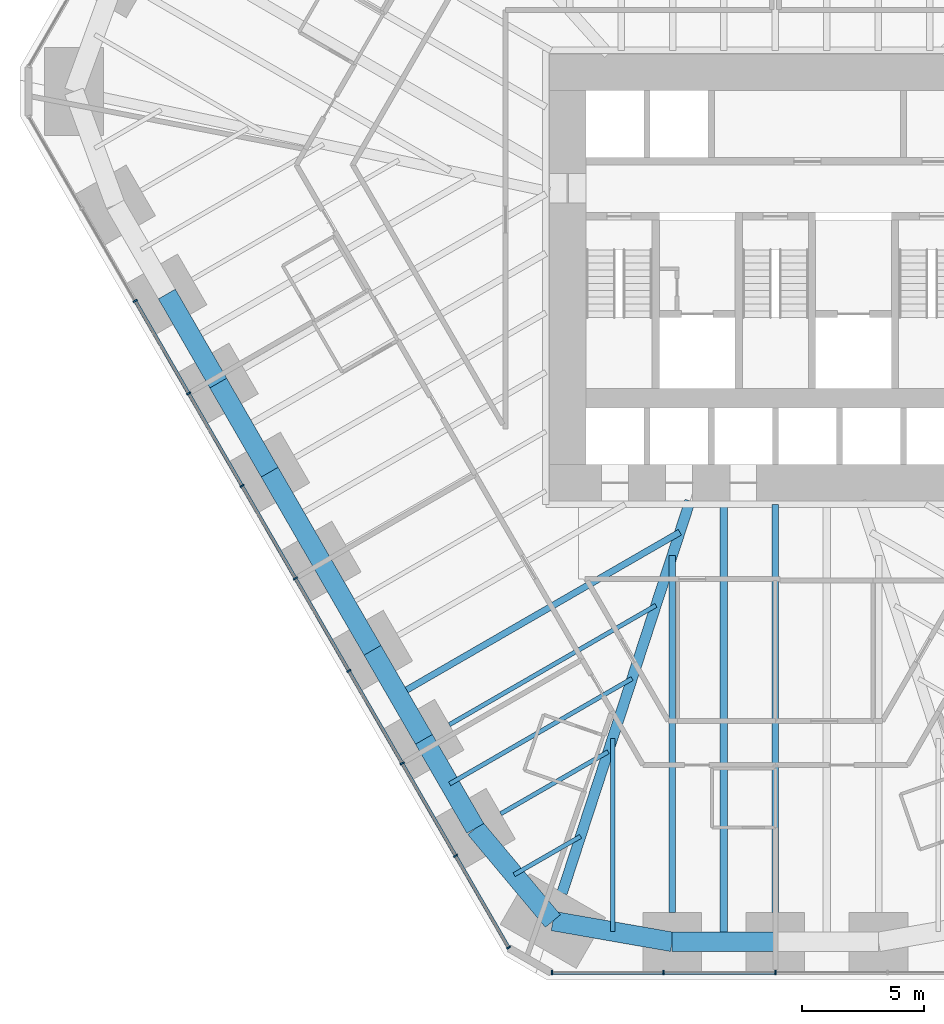
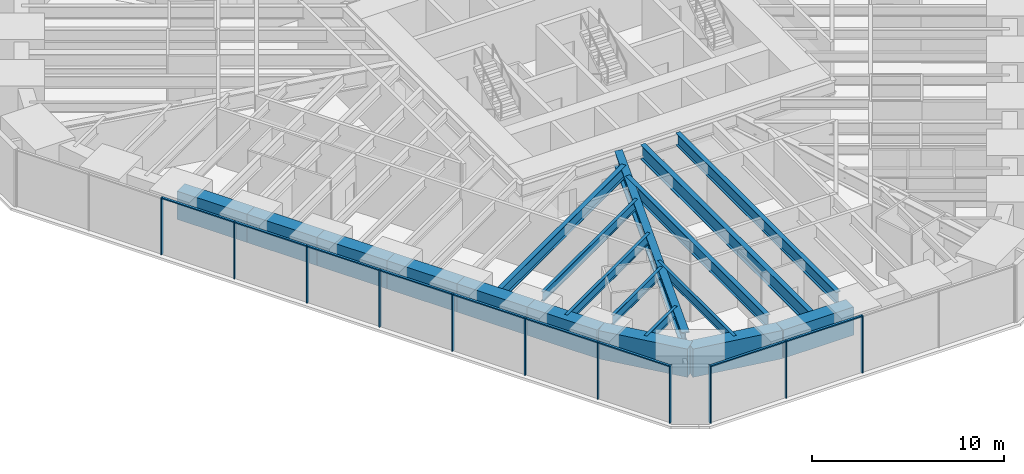
# One storey, part 2 of 17: 20 members, 19 beams, 2 elements without a shape of their own.
"""IFC4 building model written with IfcOpenShell, lengths in metres."""

import ifcopenshell
import ifcopenshell.guid

model = None  # the IFC model being written
_history = None  # IfcOwnerHistory: only IFC2X3 demands one
_inside = {}  # id of a spatial element -> (the spatial element, [elements in it])
_under = {}  # id of a project, library or spatial element -> (it, [spatial elements below it])
_declared = {}  # id of a project -> (the project, [libraries it declares])
_typed = {}  # id of a type object -> (the type object, [elements of that type])
_made_of = {}  # id of a material, layer set ... -> (it, [elements and type objects made of it])


def new_model(schema):
    """Start an empty IFC model of exactly this schema.

    Asked for "IFC4X3", IfcOpenShell would pick the latest addendum, in which some entities
    have other attributes; the version numbers below select the first issue.
    IFC2X3 requires an IfcOwnerHistory on every rooted entity: one is made here for all.
    """
    global model, _history
    if schema == "IFC4X3":
        model = ifcopenshell.file(schema_version=(4, 3, 0, 0))
    else:
        model = ifcopenshell.file(schema=schema)
    _inside.clear()
    _under.clear()
    _declared.clear()
    _typed.clear()
    _made_of.clear()
    _history = None
    if model.schema == "IFC2X3":
        org = make("IfcOrganization", Name="unknown")
        user = make(
            "IfcPersonAndOrganization",
            ThePerson=make("IfcPerson", FamilyName="unknown"),
            TheOrganization=org,
        )
        app = make(
            "IfcApplication",
            ApplicationDeveloper=org,
            Version="unknown",
            ApplicationFullName="unknown",
            ApplicationIdentifier="unknown",
        )
        _history = make(
            "IfcOwnerHistory",
            OwningUser=user,
            OwningApplication=app,
            ChangeAction="ADDED",
            CreationDate=0,
        )
    return model


def make(cls, **values):
    """One entity of the class cls with the attributes given. An attribute that is None is left unset."""
    return model.create_entity(
        cls, **{name: value for name, value in values.items() if value is not None}
    )


def rooted(cls, **values):
    """An entity with a GlobalId (a new one), such as an element, a storey or a relation."""
    return make(cls, GlobalId=ifcopenshell.guid.new(), OwnerHistory=_history, **values)


def si_unit(unit_type, name, prefix=None):
    """IfcSIUnit, for example si_unit("LENGTHUNIT", "METRE", prefix="MILLI")."""
    return make("IfcSIUnit", UnitType=unit_type, Prefix=prefix, Name=name)


def assignment(units):
    """IfcUnitAssignment: the units of a project."""
    return None if units is None else make("IfcUnitAssignment", Units=units)


def point(xyz):
    """IfcCartesianPoint."""
    return None if xyz is None else make("IfcCartesianPoint", Coordinates=xyz)


def direction(xyz):
    """IfcDirection."""
    return None if xyz is None else make("IfcDirection", DirectionRatios=xyz)


def frame(location, z_axis=None, x_axis=None):
    """IfcAxis2Placement3D, a coordinate frame: its origin and axes. An axis left out is left unset."""
    return make(
        "IfcAxis2Placement3D",
        Location=point(location),
        Axis=direction(z_axis),
        RefDirection=direction(x_axis),
    )


def frame_2d(location, x_axis=None):
    """IfcAxis2Placement2D, a coordinate frame in the plane: its origin and x axis."""
    return make(
        "IfcAxis2Placement2D", Location=point(location), RefDirection=direction(x_axis)
    )


def origin():
    """The frame at (0, 0, 0) with its axes left unset."""
    return frame((0.0, 0.0, 0.0))


def origin_2d():
    """The frame at (0, 0) in the plane with its x axis left unset."""
    return frame_2d((0.0, 0.0))


def place(relative_to, where):
    """IfcLocalPlacement: puts the frame where relative to a parent placement (None: the world)."""
    return make(
        "IfcLocalPlacement", PlacementRelTo=relative_to, RelativePlacement=where
    )


def context(
    kind, dimensions, precision=None, world=None, true_north=None, identifier=None
):
    """IfcGeometricRepresentationContext, for example the 3D "Model" context."""
    return make(
        "IfcGeometricRepresentationContext",
        ContextIdentifier=identifier,
        ContextType=kind,
        CoordinateSpaceDimension=dimensions,
        Precision=precision,
        WorldCoordinateSystem=world,
        TrueNorth=true_north,
    )


def subcontext(parent, identifier, kind, view, scale=None):
    """IfcGeometricRepresentationSubContext, for example "Body" below "Model"."""
    return make(
        "IfcGeometricRepresentationSubContext",
        ContextIdentifier=identifier,
        ContextType=kind,
        ParentContext=parent,
        TargetScale=scale,
        TargetView=view,
    )


def project(units=None, contexts=None):
    """IfcProject with its units and contexts."""
    return rooted(
        "IfcProject",
        Name="project",
        RepresentationContexts=contexts,
        UnitsInContext=assignment(units),
    )


def spatial(cls, under=None, at=None, **own):
    """A site, building, storey or space (cls), placed at a placement, below another one or the project."""
    s = rooted(cls, ObjectPlacement=at, **own)
    if under is not None:
        _under.setdefault(under.id(), (under, []))[1].append(s)
    return s


def profile(cls, at=None, kind="AREA", **sizes):
    """A parametric profile (cls). Its sizes go by their IFC names, for example OverallWidth=200.0."""
    return make(cls, ProfileType=kind, Position=at, **sizes)


def rectangle(**sizes):
    """IfcRectangleProfileDef."""
    return profile("IfcRectangleProfileDef", **sizes)


def i_section(**sizes):
    """IfcIShapeProfileDef."""
    return profile("IfcIShapeProfileDef", **sizes)


def extrude(swept, where, along, depth):
    """IfcExtrudedAreaSolid: the profile swept, set in the frame where, extruded along a direction by depth."""
    return make(
        "IfcExtrudedAreaSolid",
        SweptArea=swept,
        Position=where,
        ExtrudedDirection=direction(along),
        Depth=depth,
    )


def shape(context_of_items, identifier, shape_type, items):
    """IfcShapeRepresentation: the items that make up one representation, for example the "Body"."""
    return make(
        "IfcShapeRepresentation",
        ContextOfItems=context_of_items,
        RepresentationIdentifier=identifier,
        RepresentationType=shape_type,
        Items=items,
    )


def material(Name=None, Category=None):
    """IfcMaterial."""
    return make("IfcMaterial", Name=Name, Category=Category)


def material_profile(
    of_material, cross_section, Name=None, Category=None, Priority=None
):
    """IfcMaterialProfile: a cross section and its material."""
    return make(
        "IfcMaterialProfile",
        Name=Name,
        Material=of_material,
        Profile=cross_section,
        Priority=Priority,
        Category=Category,
    )


def profile_set(profiles, Name=None, composite=None):
    """IfcMaterialProfileSet."""
    return make(
        "IfcMaterialProfileSet",
        Name=Name,
        MaterialProfiles=profiles,
        CompositeProfile=composite,
    )


def made_of(thing, what):
    """Note that an element or type object is made of a material, layer set ...; save() writes the relation."""
    if what is not None:
        _made_of.setdefault(what.id(), (what, []))[1].append(thing)
    return thing


def type_object(cls, material=None, **own):
    """A type object (cls), such as IfcWallType, which elements share."""
    return made_of(rooted(cls, **own), material)


def element(
    cls,
    number,
    at=None,
    inside=None,
    cuts=None,
    type_object=None,
    material=None,
    context=None,
    identifier="Body",
    shape_type=None,
    held_by="IfcProductDefinitionShape",
    body=None,
    shapes=None,
    **own,
):
    """One element of the class cls, such as IfcWall. Its Tag is "e" and its number.

    at: its placement. inside: the storey or other place that contains it. cuts: it is an
    opening in that element (IfcRelVoidsElement). A single representation is given by context,
    identifier, shape_type and body (its items); several are given by shapes. held_by: the class
    of the entity that holds the representations. save() writes the other relations.
    """
    e = rooted(cls, Tag="e%d" % number, ObjectPlacement=at, **own)
    if body is not None:
        shapes = [shape(context, identifier, shape_type, body)]
    if shapes is not None:
        e.Representation = make(held_by, Representations=shapes)
    if inside is not None:
        _inside.setdefault(inside.id(), (inside, []))[1].append(e)
    if cuts is not None:
        rooted(
            "IfcRelVoidsElement", RelatingBuildingElement=cuts, RelatedOpeningElement=e
        )
    if type_object is not None:
        _typed.setdefault(type_object.id(), (type_object, []))[1].append(e)
    return made_of(e, material)


def aggregate(whole, parts):
    """IfcRelAggregates: a whole, such as a stair, and the parts it consists of."""
    return rooted("IfcRelAggregates", RelatingObject=whole, RelatedObjects=parts)


def save(model, path):
    """Write the relations noted so far, then the file.

    IfcRelAggregates (storeys below a building ...), IfcRelContainedInSpatialStructure (elements
    in a storey), IfcRelDefinesByType, IfcRelAssociatesMaterial and IfcRelDeclares: one each for
    every whole, place, type object, material and project.
    """
    for whole, parts in _under.values():
        aggregate(whole, parts)
    for where, things in _inside.values():
        rooted(
            "IfcRelContainedInSpatialStructure",
            RelatedElements=things,
            RelatingStructure=where,
        )
    for kind, things in _typed.values():
        rooted("IfcRelDefinesByType", RelatedObjects=things, RelatingType=kind)
    for what, things in _made_of.values():
        rooted("IfcRelAssociatesMaterial", RelatedObjects=things, RelatingMaterial=what)
    for by, libraries in _declared.values():
        rooted("IfcRelDeclares", RelatingContext=by, RelatedDefinitions=libraries)
    model.write(path)


model = new_model("IFC4")

# Units and contexts
model_context = context("Model", 3, precision=1e-05, world=origin(), true_north=direction((0.0, 1.0)))
body_context = subcontext(model_context, "Body", "Model", "MODEL_VIEW")
ifc_project = project(units=[si_unit("LENGTHUNIT", "METRE"), si_unit("AREAUNIT", "SQUARE_METRE"), si_unit("VOLUMEUNIT", "CUBIC_METRE"), si_unit("PLANEANGLEUNIT", "RADIAN"), si_unit("MASSUNIT", "GRAM", prefix="KILO")], contexts=[model_context])

# Site, building, storey
site_placement = place(None, origin())
site = spatial("IfcSite", under=ifc_project, at=site_placement, CompositionType="ELEMENT")
building_placement = place(site_placement, origin())
building = spatial("IfcBuilding", under=site, at=building_placement, Name="Sandreach Pilgrim Tower", CompositionType="ELEMENT")
storey_placement = place(building_placement, frame((0.0, 0.0, 34.39990234375)))
storey = spatial("IfcBuildingStorey", under=building, at=storey_placement, Name="L07", CompositionType="ELEMENT", Elevation=34.39990234375)

# Curtain wall, members
ifc_material_1 = material(Name="Aluminium framed curtain wall", Category="aluminium")
curtain_wall_type = type_object("IfcCurtainWallType", Name="Hostel tower curtain wall", PredefinedType="NOTDEFINED", material=ifc_material_1)
curtain_wall_1_placement = place(storey_placement, origin())
curtain_wall_1 = element("IfcCurtainWall", 1, at=curtain_wall_1_placement, inside=storey, type_object=curtain_wall_type, Name="CW-1 L07 S", PredefinedType="NOTDEFINED")
ifc_material_2 = material(Name="Aluminium extrusion", Category="aluminium")
ifc_material_profile_1 = material_profile(ifc_material_2, rectangle(XDim=0.06494140625, YDim=0.179931640625, at=origin_2d()), Name="CW-1M 65X180")
ifc_profile_set_1 = profile_set([ifc_material_profile_1], Name="Aluminium extrusion")
member_type_1 = type_object("IfcMemberType", Name="CW-1 mullion", PredefinedType="MULLION", material=ifc_profile_set_1)
member_1_placement = place(storey_placement, frame((0.0, -30.010986328125, 0.0), z_axis=(0.0, 0.0, 1.0), x_axis=(-1.0, 0.0, 0.0)))
member_1 = element("IfcMember", 2, at=member_1_placement, type_object=member_type_1, Name="CW-1 mullion 3", PredefinedType="MULLION", context=body_context, shape_type="SweptSolid", body=[
    extrude(rectangle(XDim=0.06494140625, YDim=0.179931640625, at=origin_2d()), origin(), (0.0, 0.0, 1.0), 3.64013671875),
])
member_2_placement = place(storey_placement, frame((-4.5859375, -30.010986328125, 0.0), z_axis=(0.0, 0.0, 1.0), x_axis=(-1.0, 0.0, 0.0)))
member_2 = element("IfcMember", 3, at=member_2_placement, type_object=member_type_1, Name="CW-1 mullion 4", PredefinedType="MULLION", context=body_context, shape_type="SweptSolid", body=[
    extrude(rectangle(XDim=0.06494140625, YDim=0.179931640625, at=origin_2d()), origin(), (0.0, 0.0, 1.0), 3.64013671875),
])
member_3_placement = place(storey_placement, frame((-9.1396484375, -30.010986328125, 0.0), z_axis=(0.0, 0.0, 1.0), x_axis=(-1.0, 0.0, 0.0)))
member_3 = element("IfcMember", 4, at=member_3_placement, type_object=member_type_1, Name="CW-1 mullion 5", PredefinedType="MULLION", context=body_context, shape_type="SweptSolid", body=[
    extrude(rectangle(XDim=0.06494140625, YDim=0.179931640625, at=origin_2d()), origin(), (0.0, 0.0, 1.0), 3.64013671875),
])

curtain_wall_2_placement = place(storey_placement, origin())
curtain_wall_2 = element("IfcCurtainWall", 5, at=curtain_wall_2_placement, inside=storey, type_object=curtain_wall_type, Name="CW-1 L07 SW", PredefinedType="NOTDEFINED")
member_4_placement = place(storey_placement, frame((-10.92041015625, -28.982666015625, 0.0), z_axis=(0.0, 0.0, 1.0), x_axis=(-0.5, 0.866025403784, 0.0)))
member_4 = element("IfcMember", 6, at=member_4_placement, type_object=member_type_1, Name="CW-1 mullion 1", PredefinedType="MULLION", context=body_context, shape_type="SweptSolid", body=[
    extrude(rectangle(XDim=0.06494140625, YDim=0.179931640625, at=origin_2d()), origin(), (0.0, 0.0, 1.0), 3.64013671875),
])
member_5_placement = place(storey_placement, frame((-13.08984375, -25.22509765625, 0.0), z_axis=(0.0, 0.0, 1.0), x_axis=(-0.5, 0.866025403784, 0.0)))
member_5 = element("IfcMember", 7, at=member_5_placement, type_object=member_type_1, Name="CW-1 mullion 2", PredefinedType="MULLION", context=body_context, shape_type="SweptSolid", body=[
    extrude(rectangle(XDim=0.06494140625, YDim=0.179931640625, at=origin_2d()), origin(), (0.0, 0.0, 1.0), 3.64013671875),
])
member_6_placement = place(storey_placement, frame((-15.275634765625, -21.439208984375, 0.0), z_axis=(0.0, 0.0, 1.0), x_axis=(-0.5, 0.866025403784, 0.0)))
member_6 = element("IfcMember", 8, at=member_6_placement, type_object=member_type_1, Name="CW-1 mullion 3", PredefinedType="MULLION", context=body_context, shape_type="SweptSolid", body=[
    extrude(rectangle(XDim=0.06494140625, YDim=0.179931640625, at=origin_2d()), origin(), (0.0, 0.0, 1.0), 3.64013671875),
])
member_7_placement = place(storey_placement, frame((-17.46142578125, -17.6533203125, 0.0), z_axis=(0.0, 0.0, 1.0), x_axis=(-0.5, 0.866025403784, 0.0)))
member_7 = element("IfcMember", 9, at=member_7_placement, type_object=member_type_1, Name="CW-1 mullion 4", PredefinedType="MULLION", context=body_context, shape_type="SweptSolid", body=[
    extrude(rectangle(XDim=0.06494140625, YDim=0.179931640625, at=origin_2d()), origin(), (0.0, 0.0, 1.0), 3.64013671875),
])
member_8_placement = place(storey_placement, frame((-19.647216796875, -13.8671875, 0.0), z_axis=(0.0, 0.0, 1.0), x_axis=(-0.5, 0.866025403784, 0.0)))
member_8 = element("IfcMember", 10, at=member_8_placement, type_object=member_type_1, Name="CW-1 mullion 5", PredefinedType="MULLION", context=body_context, shape_type="SweptSolid", body=[
    extrude(rectangle(XDim=0.06494140625, YDim=0.179931640625, at=origin_2d()), origin(), (0.0, 0.0, 1.0), 3.64013671875),
])
member_9_placement = place(storey_placement, frame((-21.8330078125, -10.081298828125, 0.0), z_axis=(0.0, 0.0, 1.0), x_axis=(-0.5, 0.866025403784, 0.0)))
member_9 = element("IfcMember", 11, at=member_9_placement, type_object=member_type_1, Name="CW-1 mullion 6", PredefinedType="MULLION", context=body_context, shape_type="SweptSolid", body=[
    extrude(rectangle(XDim=0.06494140625, YDim=0.179931640625, at=origin_2d()), origin(), (0.0, 0.0, 1.0), 3.64013671875),
])
member_10_placement = place(storey_placement, frame((-24.018798828125, -6.29541015625, 0.0), z_axis=(0.0, 0.0, 1.0), x_axis=(-0.5, 0.866025403784, 0.0)))
member_10 = element("IfcMember", 12, at=member_10_placement, type_object=member_type_1, Name="CW-1 mullion 7", PredefinedType="MULLION", context=body_context, shape_type="SweptSolid", body=[
    extrude(rectangle(XDim=0.06494140625, YDim=0.179931640625, at=origin_2d()), origin(), (0.0, 0.0, 1.0), 3.64013671875),
])
member_11_placement = place(storey_placement, frame((-26.20458984375, -2.509521484375, 0.0), z_axis=(0.0, 0.0, 1.0), x_axis=(-0.5, 0.866025403784, 0.0)))
member_11 = element("IfcMember", 13, at=member_11_placement, type_object=member_type_1, Name="CW-1 mullion 8", PredefinedType="MULLION", context=body_context, shape_type="SweptSolid", body=[
    extrude(rectangle(XDim=0.06494140625, YDim=0.179931640625, at=origin_2d()), origin(), (0.0, 0.0, 1.0), 3.64013671875),
])

# Member
ifc_material_3 = material(Name="Aluminium extrusion", Category="aluminium")
ifc_material_profile_2 = material_profile(ifc_material_3, rectangle(XDim=0.139892578125, YDim=0.070068359375, at=origin_2d()), Name="CW-1T 140X70")
ifc_profile_set_2 = profile_set([ifc_material_profile_2], Name="Aluminium extrusion")
member_type_2 = type_object("IfcMemberType", Name="CW-1 transom", PredefinedType="USERDEFINED", material=ifc_profile_set_2)
member_12_placement = place(storey_placement, frame((-0.032470703125, -30.010986328125, 3.60498046875), z_axis=(-1.0, 0.0, 0.0), x_axis=(0.0, -1.0, 0.0)))
member_12 = element("IfcMember", 14, at=member_12_placement, type_object=member_type_2, Name="CW-1 head transom 3", ObjectType="TRANSOM", PredefinedType="USERDEFINED", context=body_context, shape_type="SweptSolid", body=[
    extrude(rectangle(XDim=0.139892578125, YDim=0.070068359375, at=origin_2d()), origin(), (0.0, 0.0, 1.0), 4.52099609375),
])

member_13_placement = place(storey_placement, frame((-4.61865234375, -30.010986328125, 3.60498046875), z_axis=(-1.0, 0.0, 0.0), x_axis=(0.0, -1.0, 0.0)))
member_13 = element("IfcMember", 15, at=member_13_placement, type_object=member_type_2, Name="CW-1 head transom 4", ObjectType="TRANSOM", PredefinedType="USERDEFINED", context=body_context, shape_type="SweptSolid", body=[
    extrude(rectangle(XDim=0.139892578125, YDim=0.070068359375, at=origin_2d()), origin(), (0.0, 0.0, 1.0), 4.488525390625),
])

aggregate(curtain_wall_1, [member_1, member_2, member_3, member_12, member_13])

member_14_placement = place(storey_placement, frame((-10.9365234375, -28.95458984375, 3.60498046875), z_axis=(-0.500033953635, 0.866005799756, 0.0), x_axis=(-0.866005799756, -0.500033953635, 0.0)))
member_14 = element("IfcMember", 16, at=member_14_placement, type_object=member_type_2, Name="CW-1 head transom 1", ObjectType="TRANSOM", PredefinedType="USERDEFINED", context=body_context, shape_type="SweptSolid", body=[
    extrude(rectangle(XDim=0.139892578125, YDim=0.070068359375, at=origin_2d()), origin(), (0.0, 0.0, 1.0), 4.274169921875),
])

member_15_placement = place(storey_placement, frame((-13.106201171875, -25.19677734375, 3.60498046875), z_axis=(-0.500016891966, 0.866015650984, 0.0), x_axis=(-0.866015650984, -0.500016891966, 0.0)))
member_15 = element("IfcMember", 17, at=member_15_placement, type_object=member_type_2, Name="CW-1 head transom 2", ObjectType="TRANSOM", PredefinedType="USERDEFINED", context=body_context, shape_type="SweptSolid", body=[
    extrude(rectangle(XDim=0.139892578125, YDim=0.070068359375, at=origin_2d()), origin(), (0.0, 0.0, 1.0), 4.306396484375),
])

member_16_placement = place(storey_placement, frame((-15.2919921875, -21.410888671875, 3.60498046875), z_axis=(-0.500016891966, 0.866015650984, 0.0), x_axis=(-0.866015650984, -0.500016891966, 0.0)))
member_16 = element("IfcMember", 18, at=member_16_placement, type_object=member_type_2, Name="CW-1 head transom 3", ObjectType="TRANSOM", PredefinedType="USERDEFINED", context=body_context, shape_type="SweptSolid", body=[
    extrude(rectangle(XDim=0.139892578125, YDim=0.070068359375, at=origin_2d()), origin(), (0.0, 0.0, 1.0), 4.306396484375),
])

member_17_placement = place(storey_placement, frame((-17.477783203125, -17.625, 3.60498046875), z_axis=(-0.500016891966, 0.866015650984, 0.0), x_axis=(-0.866015650984, -0.500016891966, 0.0)))
member_17 = element("IfcMember", 19, at=member_17_placement, type_object=member_type_2, Name="CW-1 head transom 4", ObjectType="TRANSOM", PredefinedType="USERDEFINED", context=body_context, shape_type="SweptSolid", body=[
    extrude(rectangle(XDim=0.139892578125, YDim=0.070068359375, at=origin_2d()), origin(), (0.0, 0.0, 1.0), 4.306396484375),
])

member_18_placement = place(storey_placement, frame((-19.66357421875, -13.839111328125, 3.60498046875), z_axis=(-0.500016891966, 0.866015650984, 0.0), x_axis=(-0.866015650984, -0.500016891966, 0.0)))
member_18 = element("IfcMember", 20, at=member_18_placement, type_object=member_type_2, Name="CW-1 head transom 5", ObjectType="TRANSOM", PredefinedType="USERDEFINED", context=body_context, shape_type="SweptSolid", body=[
    extrude(rectangle(XDim=0.139892578125, YDim=0.070068359375, at=origin_2d()), origin(), (0.0, 0.0, 1.0), 4.306396484375),
])

member_19_placement = place(storey_placement, frame((-21.849365234375, -10.05322265625, 3.60498046875), z_axis=(-0.500016891966, 0.866015650984, 0.0), x_axis=(-0.866015650984, -0.500016891966, 0.0)))
member_19 = element("IfcMember", 21, at=member_19_placement, type_object=member_type_2, Name="CW-1 head transom 6", ObjectType="TRANSOM", PredefinedType="USERDEFINED", context=body_context, shape_type="SweptSolid", body=[
    extrude(rectangle(XDim=0.139892578125, YDim=0.070068359375, at=origin_2d()), origin(), (0.0, 0.0, 1.0), 4.306396484375),
])

member_20_placement = place(storey_placement, frame((-24.03515625, -6.267333984375, 3.60498046875), z_axis=(-0.500016891966, 0.866015650984, 0.0), x_axis=(-0.866015650984, -0.500016891966, 0.0)))
member_20 = element("IfcMember", 22, at=member_20_placement, type_object=member_type_2, Name="CW-1 head transom 7", ObjectType="TRANSOM", PredefinedType="USERDEFINED", context=body_context, shape_type="SweptSolid", body=[
    extrude(rectangle(XDim=0.139892578125, YDim=0.070068359375, at=origin_2d()), origin(), (0.0, 0.0, 1.0), 4.306396484375),
])

aggregate(curtain_wall_2, [member_4, member_5, member_6, member_7, member_8, member_9, member_10, member_11, member_14, member_15, member_16, member_17, member_18, member_19, member_20])

# Beams
ifc_material_4 = material(Name="Steel ASTM A992 Grade 50", Category="steel")
ifc_material_profile_3 = material_profile(ifc_material_4, i_section(OverallWidth=0.431884765625, OverallDepth=0.988037109375, WebThickness=0.034423828125, FlangeThickness=0.06201171875, at=origin_2d()), Name="W36X441")
ifc_profile_set_3 = profile_set([ifc_material_profile_3], Name="Steel ASTM A992 Grade 50")
beam_type_1 = type_object("IfcBeamType", Name="Corner girder W36X441", PredefinedType="BEAM", material=ifc_profile_set_3)
beam_1_placement = place(storey_placement, frame((-8.73388671875, -26.756103515625, 3.14599609375), z_axis=(0.310315410754, 0.950633654911, 0.0), x_axis=(-0.950633654911, 0.310315410754, 0.0)))
element("IfcBeam", 23, at=beam_1_placement, inside=storey, type_object=beam_type_1, Name="BM L07 CG26", PredefinedType="BEAM", context=body_context, shape_type="SweptSolid", body=[
    extrude(i_section(OverallWidth=0.431884765625, OverallDepth=0.988037109375, WebThickness=0.034423828125, FlangeThickness=0.06201171875, at=origin_2d()), origin(), (0.0, 0.0, 1.0), 16.889892578125),
])
ifc_material_5 = material(Name="Steel ASTM A992 Grade 50", Category="steel")
ifc_material_profile_4 = material_profile(ifc_material_5, i_section(OverallWidth=0.1787109375, OverallDepth=0.60205078125, WebThickness=0.010986328125, FlangeThickness=0.014892578125, at=origin_2d()), Name="W24X62")
ifc_profile_set_4 = profile_set([ifc_material_profile_4], Name="Steel ASTM A992 Grade 50")
beam_type_2 = type_object("IfcBeamType", Name="Floor beam W24X62", PredefinedType="BEAM", material=ifc_profile_set_4)
beam_2_placement = place(storey_placement, frame((-11.242431640625, -23.5048828125, 3.339111328125), z_axis=(0.866027897259, 0.49999568115, 0.0), x_axis=(-0.49999568115, 0.866027897259, 0.0)))
element("IfcBeam", 24, at=beam_2_placement, inside=storey, type_object=beam_type_2, Name="BM L07 F27", PredefinedType="BEAM", context=body_context, shape_type="SweptSolid", body=[
    extrude(i_section(OverallWidth=0.1787109375, OverallDepth=0.60205078125, WebThickness=0.010986328125, FlangeThickness=0.014892578125, at=origin_2d()), origin(), (0.0, 0.0, 1.0), 5.0791015625),
])
beam_3_placement = place(storey_placement, frame((-13.347412109375, -19.859130859375, 3.339111328125), z_axis=(0.866025751498, 0.499999397742, 0.0), x_axis=(-0.499999397742, 0.866025751498, 0.0)))
element("IfcBeam", 25, at=beam_3_placement, inside=storey, type_object=beam_type_2, Name="BM L07 F28", PredefinedType="BEAM", context=body_context, shape_type="SweptSolid", body=[
    extrude(i_section(OverallWidth=0.1787109375, OverallDepth=0.60205078125, WebThickness=0.010986328125, FlangeThickness=0.014892578125, at=origin_2d()), origin(), (0.0, 0.0, 1.0), 9.767578125),
])
beam_4_placement = place(storey_placement, frame((-6.664306640625, -28.323974609375, 3.339111328125), z_axis=(0.0, 1.0, 0.0), x_axis=(-1.0, 0.0, 0.0)))
element("IfcBeam", 26, at=beam_4_placement, inside=storey, type_object=beam_type_2, Name="BM L07 FM25", PredefinedType="BEAM", context=body_context, shape_type="SweptSolid", body=[
    extrude(i_section(OverallWidth=0.1787109375, OverallDepth=0.60205078125, WebThickness=0.010986328125, FlangeThickness=0.014892578125, at=origin_2d()), origin(), (0.0, 0.0, 1.0), 7.907958984375),
])
beam_5_placement = place(storey_placement, frame((-10.694091796875, -26.0009765625, 3.339111328125), z_axis=(0.866023718453, 0.500002919068, 0.0), x_axis=(-0.500002919068, 0.866023718453, 0.0)))
element("IfcBeam", 27, at=beam_5_placement, inside=storey, type_object=beam_type_2, Name="BM L07 FM26", PredefinedType="BEAM", context=body_context, shape_type="SweptSolid", body=[
    extrude(i_section(OverallWidth=0.1787109375, OverallDepth=0.60205078125, WebThickness=0.010986328125, FlangeThickness=0.014892578125, at=origin_2d()), origin(), (0.0, 0.0, 1.0), 3.1396484375),
])
beam_6_placement = place(storey_placement, frame((-13.334228515625, -22.281982421875, 3.339111328125), z_axis=(0.86602717807, 0.499996926835, 0.0), x_axis=(-0.499996926835, 0.86602717807, 0.0)))
element("IfcBeam", 28, at=beam_6_placement, inside=storey, type_object=beam_type_2, Name="BM L07 FM27", PredefinedType="BEAM", context=body_context, shape_type="SweptSolid", body=[
    extrude(i_section(OverallWidth=0.1787109375, OverallDepth=0.60205078125, WebThickness=0.010986328125, FlangeThickness=0.014892578125, at=origin_2d()), origin(), (0.0, 0.0, 1.0), 8.62353515625),
])
ifc_material_6 = material(Name="Steel ASTM A992 Grade 50", Category="steel")
ifc_material_profile_5 = material_profile(ifc_material_6, i_section(OverallWidth=0.2666015625, OverallDepth=0.761962890625, WebThickness=0.014404296875, FlangeThickness=0.021484375, at=origin_2d()), Name="W30X116")
ifc_profile_set_5 = profile_set([ifc_material_profile_5], Name="Steel ASTM A992 Grade 50")
beam_type_3 = type_object("IfcBeamType", Name="Floor beam W30X116", PredefinedType="BEAM", material=ifc_profile_set_5)
beam_7_placement = place(storey_placement, frame((-4.222412109375, -27.55078125, 3.259033203125), z_axis=(0.0, 1.0, 0.0), x_axis=(-1.0, 0.0, 0.0)))
element("IfcBeam", 29, at=beam_7_placement, inside=storey, type_object=beam_type_3, Name="BM L07 F25", PredefinedType="BEAM", context=body_context, shape_type="SweptSolid", body=[
    extrude(i_section(OverallWidth=0.2666015625, OverallDepth=0.761962890625, WebThickness=0.014404296875, FlangeThickness=0.021484375, at=origin_2d()), origin(), (0.0, 0.0, 1.0), 14.61572265625),
])
beam_8_placement = place(storey_placement, frame((-15.43896484375, -18.63623046875, 3.259033203125), z_axis=(0.866021271874, 0.50000715661, 0.0), x_axis=(-0.50000715661, 0.866021271874, 0.0)))
element("IfcBeam", 30, at=beam_8_placement, inside=storey, type_object=beam_type_3, Name="BM L07 FM28", PredefinedType="BEAM", context=body_context, shape_type="SweptSolid", body=[
    extrude(i_section(OverallWidth=0.2666015625, OverallDepth=0.761962890625, WebThickness=0.014404296875, FlangeThickness=0.021484375, at=origin_2d()), origin(), (0.0, 0.0, 1.0), 13.311767578125),
])
ifc_material_7 = material(Name="Steel ASTM A992 Grade 50", Category="steel")
ifc_material_profile_6 = material_profile(ifc_material_7, i_section(OverallWidth=0.2666015625, OverallDepth=0.77978515625, WebThickness=0.0166015625, FlangeThickness=0.030029296875, at=origin_2d()), Name="W30X148")
ifc_profile_set_6 = profile_set([ifc_material_profile_6], Name="Steel ASTM A992 Grade 50")
beam_type_4 = type_object("IfcBeamType", Name="Floor beam W30X148", PredefinedType="BEAM", material=ifc_profile_set_6)
beam_9_placement = place(storey_placement, frame((0.0, -27.55078125, 3.250244140625), z_axis=(0.0, 1.0, 0.0), x_axis=(-1.0, 0.0, 0.0)))
element("IfcBeam", 31, at=beam_9_placement, inside=storey, type_object=beam_type_4, Name="BM L07 F24", PredefinedType="BEAM", context=body_context, shape_type="SweptSolid", body=[
    extrude(i_section(OverallWidth=0.2666015625, OverallDepth=0.77978515625, WebThickness=0.0166015625, FlangeThickness=0.030029296875, at=origin_2d()), origin(), (0.0, 0.0, 1.0), 16.70751953125),
])
ifc_material_8 = material(Name="Steel ASTM A992 Grade 50", Category="steel")
ifc_material_profile_7 = material_profile(ifc_material_8, i_section(OverallWidth=0.3046875, OverallDepth=0.914306640625, WebThickness=0.0166015625, FlangeThickness=0.02587890625, at=origin_2d()), Name="W36X160")
ifc_profile_set_7 = profile_set([ifc_material_profile_7], Name="Steel ASTM A992 Grade 50")
beam_type_5 = type_object("IfcBeamType", Name="Floor beam W36X160", PredefinedType="BEAM", material=ifc_profile_set_7)
beam_10_placement = place(storey_placement, frame((-2.111083984375, -28.7509765625, 3.182861328125), z_axis=(0.0, 1.0, 0.0), x_axis=(-1.0, 0.0, 0.0)))
element("IfcBeam", 32, at=beam_10_placement, inside=storey, type_object=beam_type_5, Name="BM L07 FM24", PredefinedType="BEAM", context=body_context, shape_type="SweptSolid", body=[
    extrude(i_section(OverallWidth=0.3046875, OverallDepth=0.914306640625, WebThickness=0.0166015625, FlangeThickness=0.02587890625, at=origin_2d()), origin(), (0.0, 0.0, 1.0), 17.90771484375),
])
ifc_material_9 = material(Name="Concrete 10000 psi", Category="concrete")
ifc_material_profile_8 = material_profile(ifc_material_9, rectangle(XDim=0.800048828125, YDim=1.800048828125, at=origin_2d()), Name="RC800X1800")
ifc_profile_set_8 = profile_set([ifc_material_profile_8], Name="Concrete 10000 psi")
beam_type_6 = type_object("IfcBeamType", Name="Spandrel beam RC800X1800", PredefinedType="SPANDREL", material=ifc_profile_set_8)
beam_11_placement = place(storey_placement, frame((0.0, -28.7509765625, 2.739990234375), z_axis=(-1.0, 0.0, 0.0), x_axis=(0.0, -1.0, 0.0)))
element("IfcBeam", 33, at=beam_11_placement, inside=storey, type_object=beam_type_6, Name="BM L07 SP24", PredefinedType="SPANDREL", context=body_context, shape_type="SweptSolid", body=[
    extrude(rectangle(XDim=0.800048828125, YDim=1.800048828125, at=origin_2d()), origin(), (0.0, 0.0, 1.0), 4.222412109375),
])
beam_12_placement = place(storey_placement, frame((-4.222412109375, -28.7509765625, 2.739990234375), z_axis=(-0.985054495501, 0.17224297052, 0.0), x_axis=(-0.17224297052, -0.985054495501, 0.0)))
element("IfcBeam", 34, at=beam_12_placement, inside=storey, type_object=beam_type_6, Name="BM L07 SP25", PredefinedType="SPANDREL", context=body_context, shape_type="SweptSolid", body=[
    extrude(rectangle(XDim=0.800048828125, YDim=1.800048828125, at=origin_2d()), origin(), (0.0, 0.0, 1.0), 4.958251953125),
])
beam_13_placement = place(storey_placement, frame((-9.1064453125, -27.89697265625, 2.739990234375), z_axis=(-0.642008193922, 0.766697775488, 0.0), x_axis=(-0.766697775488, -0.642008193922, 0.0)))
element("IfcBeam", 35, at=beam_13_placement, inside=storey, type_object=beam_type_6, Name="BM L07 SP26", PredefinedType="SPANDREL", context=body_context, shape_type="SweptSolid", body=[
    extrude(rectangle(XDim=0.800048828125, YDim=1.800048828125, at=origin_2d()), origin(), (0.0, 0.0, 1.0), 4.94580078125),
])
beam_14_placement = place(storey_placement, frame((-12.28173828125, -24.10498046875, 2.739990234375), z_axis=(-0.499993523031, 0.866029143232, 0.0), x_axis=(-0.866029143232, -0.499993523031, 0.0)))
element("IfcBeam", 36, at=beam_14_placement, inside=storey, type_object=beam_type_6, Name="BM L07 SP27", PredefinedType="SPANDREL", context=body_context, shape_type="SweptSolid", body=[
    extrude(rectangle(XDim=0.800048828125, YDim=1.800048828125, at=origin_2d()), origin(), (0.0, 0.0, 1.0), 4.2099609375),
])
beam_15_placement = place(storey_placement, frame((-14.38671875, -20.458984375, 2.739990234375), z_axis=(-0.499975138639, 0.866039757022, 0.0), x_axis=(-0.866039757022, -0.499975138639, 0.0)))
element("IfcBeam", 37, at=beam_15_placement, inside=storey, type_object=beam_type_6, Name="BM L07 SP28", PredefinedType="SPANDREL", context=body_context, shape_type="SweptSolid", body=[
    extrude(rectangle(XDim=0.800048828125, YDim=1.800048828125, at=origin_2d()), origin(), (0.0, 0.0, 1.0), 4.209716796875),
])
beam_16_placement = place(storey_placement, frame((-16.491455078125, -16.813232421875, 2.739990234375), z_axis=(-0.499993523031, 0.866029143232, 0.0), x_axis=(-0.866029143232, -0.499993523031, 0.0)))
element("IfcBeam", 38, at=beam_16_placement, inside=storey, type_object=beam_type_6, Name="BM L07 SP29", PredefinedType="SPANDREL", context=body_context, shape_type="SweptSolid", body=[
    extrude(rectangle(XDim=0.800048828125, YDim=1.800048828125, at=origin_2d()), origin(), (0.0, 0.0, 1.0), 4.2099609375),
])
beam_17_placement = place(storey_placement, frame((-18.596435546875, -13.167236328125, 2.739990234375), z_axis=(-0.50001863446, 0.866014644907, 0.0), x_axis=(-0.866014644907, -0.50001863446, 0.0)))
element("IfcBeam", 39, at=beam_17_placement, inside=storey, type_object=beam_type_6, Name="BM L07 SP30", PredefinedType="SPANDREL", context=body_context, shape_type="SweptSolid", body=[
    extrude(rectangle(XDim=0.800048828125, YDim=1.800048828125, at=origin_2d()), origin(), (0.0, 0.0, 1.0), 4.209716796875),
])
beam_18_placement = place(storey_placement, frame((-20.701416015625, -9.521484375, 2.739990234375), z_axis=(-0.499993523031, 0.866029143232, 0.0), x_axis=(-0.866029143232, -0.499993523031, 0.0)))
element("IfcBeam", 40, at=beam_18_placement, inside=storey, type_object=beam_type_6, Name="BM L07 SP31", PredefinedType="SPANDREL", context=body_context, shape_type="SweptSolid", body=[
    extrude(rectangle(XDim=0.800048828125, YDim=1.800048828125, at=origin_2d()), origin(), (0.0, 0.0, 1.0), 4.2099609375),
])
beam_19_placement = place(storey_placement, frame((-22.806396484375, -5.87548828125, 2.739990234375), z_axis=(-0.50001863446, 0.866014644907, 0.0), x_axis=(-0.866014644907, -0.50001863446, 0.0)))
element("IfcBeam", 41, at=beam_19_placement, inside=storey, type_object=beam_type_6, Name="BM L07 SP32", PredefinedType="SPANDREL", context=body_context, shape_type="SweptSolid", body=[
    extrude(rectangle(XDim=0.800048828125, YDim=1.800048828125, at=origin_2d()), origin(), (0.0, 0.0, 1.0), 4.209716796875),
])

save(model, "model.ifc")
